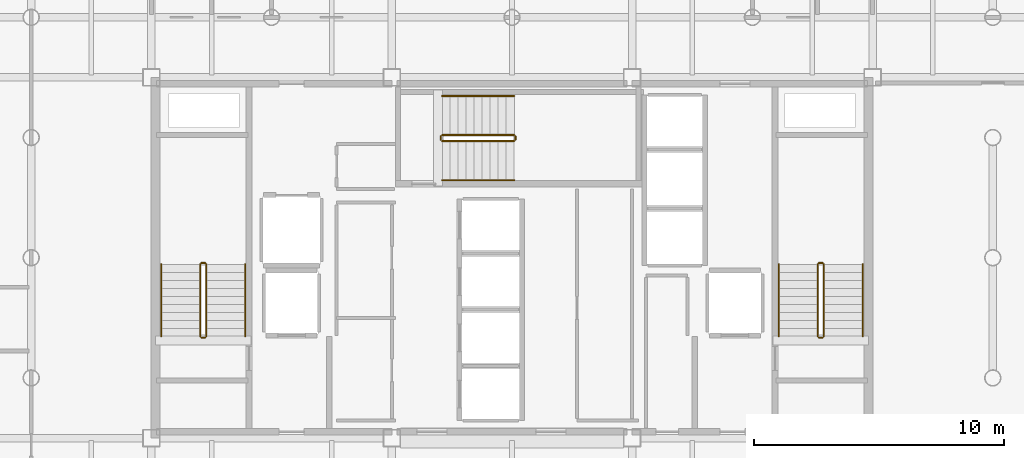
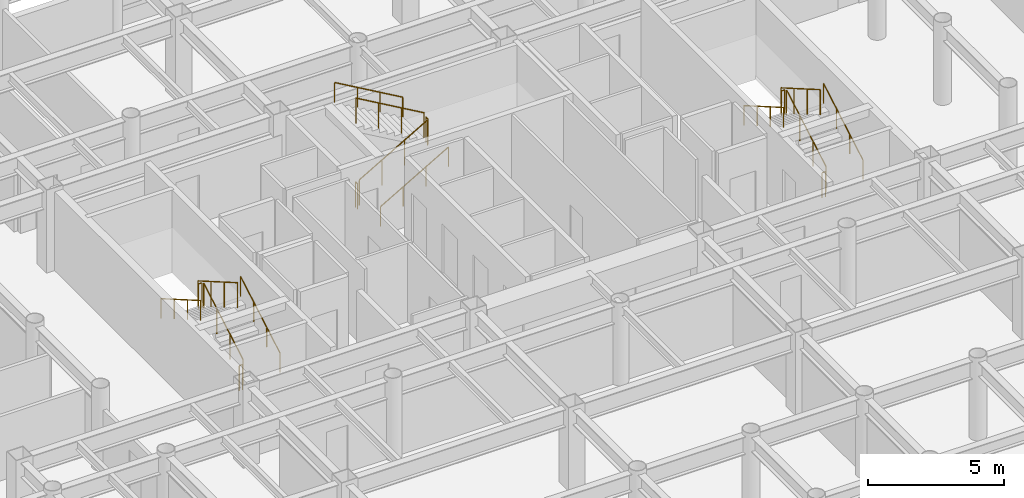
# One storey, part 19 of 19: 18 railings.
"""IFC4 building model written with IfcOpenShell, lengths in metres."""

from ifc_helpers import new_model, si_unit, direction, frame, origin, origin_2d, place, context, subcontext, project, spatial, circle, extrude, material, layer, layer_set, type_object, element, save


model = new_model("IFC4")

# Units and contexts
model_context = context("Model", 3, precision=1e-05, world=origin(), true_north=direction((0.0, 1.0)))
body_context = subcontext(model_context, "Body", "Model", "MODEL_VIEW")
ifc_project = project(units=[si_unit("LENGTHUNIT", "METRE"), si_unit("AREAUNIT", "SQUARE_METRE"), si_unit("VOLUMEUNIT", "CUBIC_METRE"), si_unit("PLANEANGLEUNIT", "RADIAN"), si_unit("MASSUNIT", "GRAM", prefix="KILO")], contexts=[model_context])

# Site, building, storey
site_placement = place(None, origin())
site = spatial("IfcSite", under=ifc_project, at=site_placement, CompositionType="ELEMENT")
building_placement = place(site_placement, origin())
building = spatial("IfcBuilding", under=site, at=building_placement, Name="Kallvorn Hotel Tower", CompositionType="ELEMENT")
storey_placement = place(building_placement, frame((0.0, 0.0, 165.5)))
storey = spatial("IfcBuildingStorey", under=building, at=storey_placement, Name="L41", CompositionType="ELEMENT", Elevation=165.5)

# Railings
ifc_material_1 = material(Name="Brushed stainless-steel tubular railing", Category="steel")
ifc_layer_1 = layer(ifc_material_1, 0.050048828125)
ifc_layer_set_1 = layer_set([ifc_layer_1], Name="RL_STAIR_GUARD")
railing_type_1 = type_object("IfcRailingType", Name="RL_STAIR_GUARD", PredefinedType="GUARDRAIL", material=ifc_layer_set_1)
railing_1_placement = place(storey_placement, frame((-12.2099609375, -3.139892578125, 0.18505859375)))
element("IfcRailing", 1, at=railing_1_placement, inside=storey, type_object=railing_type_1, Name="L41 ST1 stair guard 1", PredefinedType="GUARDRAIL", context=body_context, shape_type="SweptSolid", body=[
    extrude(circle(Radius=0.02392578125, at=origin_2d()), frame((0.0, 0.0, 1.1259765625), z_axis=(0.0, 0.865720918037, 0.500527014328), x_axis=(-1.0, 0.0, 0.0)), (0.0, 0.0, 1.0), 3.32666015625),
    extrude(circle(Radius=0.02099609375, at=origin_2d()), origin(), (0.0, 0.0, 1.0), 1.101806640625),
    extrude(circle(Radius=0.02099609375, at=origin_2d()), frame((0.0, 0.9599609375, 0.554931640625)), (0.0, 0.0, 1.0), 1.101806640625),
    extrude(circle(Radius=0.02099609375, at=origin_2d()), frame((0.0, 1.919921875, 1.110107421875)), (0.0, 0.0, 1.0), 1.101806640625),
    extrude(circle(Radius=0.02099609375, at=origin_2d()), frame((0.0, 2.8798828125, 1.6650390625)), (0.0, 0.0, 1.0), 1.101806640625),
])
railing_2_placement = place(storey_placement, frame((-12.260009765625, -0.2099609375, 1.85009765625)))
element("IfcRailing", 2, at=railing_2_placement, inside=storey, type_object=railing_type_1, Name="L41 ST1 stair guard 2", PredefinedType="GUARDRAIL", context=body_context, shape_type="SweptSolid", body=[
    extrude(circle(Radius=0.02392578125, at=origin_2d()), frame((0.0, 0.0, 1.1259765625), z_axis=(-1.0, 0.0, 0.0), x_axis=(0.0, -1.0, 0.0)), (0.0, 0.0, 1.0), 0.139892578125),
    extrude(circle(Radius=0.02099609375, at=origin_2d()), origin(), (0.0, 0.0, 1.0), 1.101806640625),
    extrude(circle(Radius=0.02099609375, at=origin_2d()), frame((-0.139892578125, 0.0, 0.0)), (0.0, 0.0, 1.0), 1.101806640625),
])
railing_3_placement = place(storey_placement, frame((-12.449951171875, -0.260009765625, 2.034912109375)))
element("IfcRailing", 3, at=railing_3_placement, inside=storey, type_object=railing_type_1, Name="L41 ST1 stair guard 3", PredefinedType="GUARDRAIL", context=body_context, shape_type="SweptSolid", body=[
    extrude(circle(Radius=0.02392578125, at=origin_2d()), frame((0.0, 0.0, 1.1259765625), z_axis=(0.0, -0.865720918037, 0.500527014328), x_axis=(1.0, 0.0, 0.0)), (0.0, 0.0, 1.0), 3.32666015625),
    extrude(circle(Radius=0.02099609375, at=origin_2d()), origin(), (0.0, 0.0, 1.0), 1.101806640625),
    extrude(circle(Radius=0.02099609375, at=origin_2d()), frame((0.0, -0.9599609375, 0.554931640625)), (0.0, 0.0, 1.0), 1.101806640625),
    extrude(circle(Radius=0.02099609375, at=origin_2d()), frame((0.0, -1.919921875, 1.110107421875)), (0.0, 0.0, 1.0), 1.101806640625),
    extrude(circle(Radius=0.02099609375, at=origin_2d()), frame((0.0, -2.8798828125, 1.6650390625)), (0.0, 0.0, 1.0), 1.101806640625),
])
railing_4_placement = place(storey_placement, frame((-12.260009765625, -3.18994140625, 0.0)))
element("IfcRailing", 4, at=railing_4_placement, inside=storey, type_object=railing_type_1, Name="L41 ST1 stair guard 4", PredefinedType="GUARDRAIL", context=body_context, shape_type="SweptSolid", body=[
    extrude(circle(Radius=0.02392578125, at=origin_2d()), frame((0.0, 0.0, 1.1259765625), z_axis=(-1.0, 0.0, 0.0), x_axis=(0.0, -1.0, 0.0)), (0.0, 0.0, 1.0), 0.139892578125),
    extrude(circle(Radius=0.02099609375, at=origin_2d()), origin(), (0.0, 0.0, 1.0), 1.101806640625),
    extrude(circle(Radius=0.02099609375, at=origin_2d()), frame((-0.139892578125, 0.0, 0.0)), (0.0, 0.0, 1.0), 1.101806640625),
])
railing_5_placement = place(storey_placement, frame((12.449951171875, -3.139892578125, 0.18505859375)))
element("IfcRailing", 5, at=railing_5_placement, inside=storey, type_object=railing_type_1, Name="L41 ST2 stair guard 1", PredefinedType="GUARDRAIL", context=body_context, shape_type="SweptSolid", body=[
    extrude(circle(Radius=0.02392578125, at=origin_2d()), frame((0.0, 0.0, 1.1259765625), z_axis=(0.0, 0.865720918037, 0.500527014328), x_axis=(-1.0, 0.0, 0.0)), (0.0, 0.0, 1.0), 3.32666015625),
    extrude(circle(Radius=0.02099609375, at=origin_2d()), origin(), (0.0, 0.0, 1.0), 1.101806640625),
    extrude(circle(Radius=0.02099609375, at=origin_2d()), frame((0.0, 0.9599609375, 0.554931640625)), (0.0, 0.0, 1.0), 1.101806640625),
    extrude(circle(Radius=0.02099609375, at=origin_2d()), frame((0.0, 1.919921875, 1.110107421875)), (0.0, 0.0, 1.0), 1.101806640625),
    extrude(circle(Radius=0.02099609375, at=origin_2d()), frame((0.0, 2.8798828125, 1.6650390625)), (0.0, 0.0, 1.0), 1.101806640625),
])
railing_6_placement = place(storey_placement, frame((12.39990234375, -0.2099609375, 1.85009765625)))
element("IfcRailing", 6, at=railing_6_placement, inside=storey, type_object=railing_type_1, Name="L41 ST2 stair guard 2", PredefinedType="GUARDRAIL", context=body_context, shape_type="SweptSolid", body=[
    extrude(circle(Radius=0.02392578125, at=origin_2d()), frame((0.0, 0.0, 1.1259765625), z_axis=(-1.0, 0.0, 0.0), x_axis=(0.0, -1.0, 0.0)), (0.0, 0.0, 1.0), 0.139892578125),
    extrude(circle(Radius=0.02099609375, at=origin_2d()), origin(), (0.0, 0.0, 1.0), 1.101806640625),
    extrude(circle(Radius=0.02099609375, at=origin_2d()), frame((-0.139892578125, 0.0, 0.0)), (0.0, 0.0, 1.0), 1.101806640625),
])
railing_7_placement = place(storey_placement, frame((12.2099609375, -0.260009765625, 2.034912109375)))
element("IfcRailing", 7, at=railing_7_placement, inside=storey, type_object=railing_type_1, Name="L41 ST2 stair guard 3", PredefinedType="GUARDRAIL", context=body_context, shape_type="SweptSolid", body=[
    extrude(circle(Radius=0.02392578125, at=origin_2d()), frame((0.0, 0.0, 1.1259765625), z_axis=(0.0, -0.865720918037, 0.500527014328), x_axis=(1.0, 0.0, 0.0)), (0.0, 0.0, 1.0), 3.32666015625),
    extrude(circle(Radius=0.02099609375, at=origin_2d()), origin(), (0.0, 0.0, 1.0), 1.101806640625),
    extrude(circle(Radius=0.02099609375, at=origin_2d()), frame((0.0, -0.9599609375, 0.554931640625)), (0.0, 0.0, 1.0), 1.101806640625),
    extrude(circle(Radius=0.02099609375, at=origin_2d()), frame((0.0, -1.919921875, 1.110107421875)), (0.0, 0.0, 1.0), 1.101806640625),
    extrude(circle(Radius=0.02099609375, at=origin_2d()), frame((0.0, -2.8798828125, 1.6650390625)), (0.0, 0.0, 1.0), 1.101806640625),
])
railing_8_placement = place(storey_placement, frame((12.39990234375, -3.18994140625, 0.0)))
element("IfcRailing", 8, at=railing_8_placement, inside=storey, type_object=railing_type_1, Name="L41 ST2 stair guard 4", PredefinedType="GUARDRAIL", context=body_context, shape_type="SweptSolid", body=[
    extrude(circle(Radius=0.02392578125, at=origin_2d()), frame((0.0, 0.0, 1.1259765625), z_axis=(-1.0, 0.0, 0.0), x_axis=(0.0, -1.0, 0.0)), (0.0, 0.0, 1.0), 0.139892578125),
    extrude(circle(Radius=0.02099609375, at=origin_2d()), origin(), (0.0, 0.0, 1.0), 1.101806640625),
    extrude(circle(Radius=0.02099609375, at=origin_2d()), frame((-0.139892578125, 0.0, 0.0)), (0.0, 0.0, 1.0), 1.101806640625),
])
railing_9_placement = place(storey_placement, frame((-2.7900390625, 4.659912109375, 0.18505859375)))
element("IfcRailing", 9, at=railing_9_placement, inside=storey, type_object=railing_type_1, Name="L41 ST3 stair guard 1", PredefinedType="GUARDRAIL", context=body_context, shape_type="SweptSolid", body=[
    extrude(circle(Radius=0.02392578125, at=origin_2d()), frame((0.0, 0.0, 1.1259765625), z_axis=(0.865739302748, 0.0, 0.50049521444), x_axis=(0.0, 1.0, 0.0)), (0.0, 0.0, 1.0), 3.326904296875),
    extrude(circle(Radius=0.02099609375, at=origin_2d()), origin(), (0.0, 0.0, 1.0), 1.101806640625),
    extrude(circle(Radius=0.02099609375, at=origin_2d()), frame((0.9599609375, 0.0, 0.554931640625)), (0.0, 0.0, 1.0), 1.101806640625),
    extrude(circle(Radius=0.02099609375, at=origin_2d()), frame((1.920166015625, 0.0, 1.110107421875)), (0.0, 0.0, 1.0), 1.101806640625),
    extrude(circle(Radius=0.02099609375, at=origin_2d()), frame((2.880126953125, 0.0, 1.6650390625)), (0.0, 0.0, 1.0), 1.101806640625),
])
railing_10_placement = place(storey_placement, frame((0.139892578125, 4.7099609375, 1.85009765625)))
element("IfcRailing", 10, at=railing_10_placement, inside=storey, type_object=railing_type_1, Name="L41 ST3 stair guard 2", PredefinedType="GUARDRAIL", context=body_context, shape_type="SweptSolid", body=[
    extrude(circle(Radius=0.02392578125, at=origin_2d()), frame((0.0, 0.0, 1.1259765625), z_axis=(0.0, 1.0, 0.0), x_axis=(-1.0, 0.0, 0.0)), (0.0, 0.0, 1.0), 0.14013671875),
    extrude(circle(Radius=0.02099609375, at=origin_2d()), origin(), (0.0, 0.0, 1.0), 1.101806640625),
    extrude(circle(Radius=0.02099609375, at=origin_2d()), frame((0.0, 0.14013671875, 0.0)), (0.0, 0.0, 1.0), 1.101806640625),
])
railing_11_placement = place(storey_placement, frame((0.090087890625, 4.89990234375, 2.034912109375)))
element("IfcRailing", 11, at=railing_11_placement, inside=storey, type_object=railing_type_1, Name="L41 ST3 stair guard 3", PredefinedType="GUARDRAIL", context=body_context, shape_type="SweptSolid", body=[
    extrude(circle(Radius=0.02392578125, at=origin_2d()), frame((0.0, 0.0, 1.1259765625), z_axis=(-0.865739302748, 0.0, 0.50049521444), x_axis=(0.0, -1.0, 0.0)), (0.0, 0.0, 1.0), 3.326904296875),
    extrude(circle(Radius=0.02099609375, at=origin_2d()), origin(), (0.0, 0.0, 1.0), 1.101806640625),
    extrude(circle(Radius=0.02099609375, at=origin_2d()), frame((-0.9599609375, 0.0, 0.554931640625)), (0.0, 0.0, 1.0), 1.101806640625),
    extrude(circle(Radius=0.02099609375, at=origin_2d()), frame((-1.920166015625, 0.0, 1.110107421875)), (0.0, 0.0, 1.0), 1.101806640625),
    extrude(circle(Radius=0.02099609375, at=origin_2d()), frame((-2.880126953125, 0.0, 1.6650390625)), (0.0, 0.0, 1.0), 1.101806640625),
])
railing_12_placement = place(storey_placement, frame((-2.840087890625, 4.7099609375, 0.0)))
element("IfcRailing", 12, at=railing_12_placement, inside=storey, type_object=railing_type_1, Name="L41 ST3 stair guard 4", PredefinedType="GUARDRAIL", context=body_context, shape_type="SweptSolid", body=[
    extrude(circle(Radius=0.02392578125, at=origin_2d()), frame((0.0, 0.0, 1.1259765625), z_axis=(0.0, 1.0, 0.0), x_axis=(-1.0, 0.0, 0.0)), (0.0, 0.0, 1.0), 0.14013671875),
    extrude(circle(Radius=0.02099609375, at=origin_2d()), origin(), (0.0, 0.0, 1.0), 1.101806640625),
    extrude(circle(Radius=0.02099609375, at=origin_2d()), frame((0.0, 0.14013671875, 0.0)), (0.0, 0.0, 1.0), 1.101806640625),
])
ifc_material_2 = material(Name="Brushed stainless-steel tubular railing", Category="steel")
ifc_layer_2 = layer(ifc_material_2, 0.050048828125)
ifc_layer_set_2 = layer_set([ifc_layer_2], Name="RL_STAIR_HAND")
railing_type_2 = type_object("IfcRailingType", Name="RL_STAIR_HAND", PredefinedType="HANDRAIL", material=ifc_layer_set_2)
railing_13_placement = place(storey_placement, frame((-10.64990234375, -3.139892578125, 0.18505859375)))
element("IfcRailing", 13, at=railing_13_placement, inside=storey, type_object=railing_type_2, Name="L41 ST1 stair handrail 1", PredefinedType="HANDRAIL", context=body_context, shape_type="SweptSolid", body=[
    extrude(circle(Radius=0.02392578125, at=origin_2d()), frame((0.0, 0.0, 0.8759765625), z_axis=(0.0, 0.865720918037, 0.500527014328), x_axis=(-1.0, 0.0, 0.0)), (0.0, 0.0, 1.0), 3.32666015625),
    extrude(circle(Radius=0.02099609375, at=origin_2d()), origin(), (0.0, 0.0, 1.0), 0.851806640625),
    extrude(circle(Radius=0.02099609375, at=origin_2d()), frame((0.0, 0.9599609375, 0.554931640625)), (0.0, 0.0, 1.0), 0.851806640625),
    extrude(circle(Radius=0.02099609375, at=origin_2d()), frame((0.0, 1.919921875, 1.110107421875)), (0.0, 0.0, 1.0), 0.851806640625),
    extrude(circle(Radius=0.02099609375, at=origin_2d()), frame((0.0, 2.8798828125, 1.6650390625)), (0.0, 0.0, 1.0), 0.851806640625),
])
railing_14_placement = place(storey_placement, frame((-14.010009765625, -0.260009765625, 2.034912109375)))
element("IfcRailing", 14, at=railing_14_placement, inside=storey, type_object=railing_type_2, Name="L41 ST1 stair handrail 2", PredefinedType="HANDRAIL", context=body_context, shape_type="SweptSolid", body=[
    extrude(circle(Radius=0.02392578125, at=origin_2d()), frame((0.0, 0.0, 0.8759765625), z_axis=(0.0, -0.865720918037, 0.500527014328), x_axis=(1.0, 0.0, 0.0)), (0.0, 0.0, 1.0), 3.32666015625),
    extrude(circle(Radius=0.02099609375, at=origin_2d()), origin(), (0.0, 0.0, 1.0), 0.851806640625),
    extrude(circle(Radius=0.02099609375, at=origin_2d()), frame((0.0, -0.9599609375, 0.554931640625)), (0.0, 0.0, 1.0), 0.851806640625),
    extrude(circle(Radius=0.02099609375, at=origin_2d()), frame((0.0, -1.919921875, 1.110107421875)), (0.0, 0.0, 1.0), 0.851806640625),
    extrude(circle(Radius=0.02099609375, at=origin_2d()), frame((0.0, -2.8798828125, 1.6650390625)), (0.0, 0.0, 1.0), 0.851806640625),
])
railing_15_placement = place(storey_placement, frame((14.010009765625, -3.139892578125, 0.18505859375)))
element("IfcRailing", 15, at=railing_15_placement, inside=storey, type_object=railing_type_2, Name="L41 ST2 stair handrail 1", PredefinedType="HANDRAIL", context=body_context, shape_type="SweptSolid", body=[
    extrude(circle(Radius=0.02392578125, at=origin_2d()), frame((0.0, 0.0, 0.8759765625), z_axis=(0.0, 0.865720918037, 0.500527014328), x_axis=(-1.0, 0.0, 0.0)), (0.0, 0.0, 1.0), 3.32666015625),
    extrude(circle(Radius=0.02099609375, at=origin_2d()), origin(), (0.0, 0.0, 1.0), 0.851806640625),
    extrude(circle(Radius=0.02099609375, at=origin_2d()), frame((0.0, 0.9599609375, 0.554931640625)), (0.0, 0.0, 1.0), 0.851806640625),
    extrude(circle(Radius=0.02099609375, at=origin_2d()), frame((0.0, 1.919921875, 1.110107421875)), (0.0, 0.0, 1.0), 0.851806640625),
    extrude(circle(Radius=0.02099609375, at=origin_2d()), frame((0.0, 2.8798828125, 1.6650390625)), (0.0, 0.0, 1.0), 0.851806640625),
])
railing_16_placement = place(storey_placement, frame((10.64990234375, -0.260009765625, 2.034912109375)))
element("IfcRailing", 16, at=railing_16_placement, inside=storey, type_object=railing_type_2, Name="L41 ST2 stair handrail 2", PredefinedType="HANDRAIL", context=body_context, shape_type="SweptSolid", body=[
    extrude(circle(Radius=0.02392578125, at=origin_2d()), frame((0.0, 0.0, 0.8759765625), z_axis=(0.0, -0.865720918037, 0.500527014328), x_axis=(1.0, 0.0, 0.0)), (0.0, 0.0, 1.0), 3.32666015625),
    extrude(circle(Radius=0.02099609375, at=origin_2d()), origin(), (0.0, 0.0, 1.0), 0.851806640625),
    extrude(circle(Radius=0.02099609375, at=origin_2d()), frame((0.0, -0.9599609375, 0.554931640625)), (0.0, 0.0, 1.0), 0.851806640625),
    extrude(circle(Radius=0.02099609375, at=origin_2d()), frame((0.0, -1.919921875, 1.110107421875)), (0.0, 0.0, 1.0), 0.851806640625),
    extrude(circle(Radius=0.02099609375, at=origin_2d()), frame((0.0, -2.8798828125, 1.6650390625)), (0.0, 0.0, 1.0), 0.851806640625),
])
railing_17_placement = place(storey_placement, frame((-2.7900390625, 3.10009765625, 0.18505859375)))
element("IfcRailing", 17, at=railing_17_placement, inside=storey, type_object=railing_type_2, Name="L41 ST3 stair handrail 1", PredefinedType="HANDRAIL", context=body_context, shape_type="SweptSolid", body=[
    extrude(circle(Radius=0.02392578125, at=origin_2d()), frame((0.0, 0.0, 0.8759765625), z_axis=(0.865739302748, 0.0, 0.50049521444), x_axis=(0.0, 1.0, 0.0)), (0.0, 0.0, 1.0), 3.326904296875),
    extrude(circle(Radius=0.02099609375, at=origin_2d()), origin(), (0.0, 0.0, 1.0), 0.851806640625),
    extrude(circle(Radius=0.02099609375, at=origin_2d()), frame((0.9599609375, 0.0, 0.554931640625)), (0.0, 0.0, 1.0), 0.851806640625),
    extrude(circle(Radius=0.02099609375, at=origin_2d()), frame((1.920166015625, 0.0, 1.110107421875)), (0.0, 0.0, 1.0), 0.851806640625),
    extrude(circle(Radius=0.02099609375, at=origin_2d()), frame((2.880126953125, 0.0, 1.6650390625)), (0.0, 0.0, 1.0), 0.851806640625),
])
railing_18_placement = place(storey_placement, frame((0.090087890625, 6.4599609375, 2.034912109375)))
element("IfcRailing", 18, at=railing_18_placement, inside=storey, type_object=railing_type_2, Name="L41 ST3 stair handrail 2", PredefinedType="HANDRAIL", context=body_context, shape_type="SweptSolid", body=[
    extrude(circle(Radius=0.02392578125, at=origin_2d()), frame((0.0, 0.0, 0.8759765625), z_axis=(-0.865739302748, 0.0, 0.50049521444), x_axis=(0.0, -1.0, 0.0)), (0.0, 0.0, 1.0), 3.326904296875),
    extrude(circle(Radius=0.02099609375, at=origin_2d()), origin(), (0.0, 0.0, 1.0), 0.851806640625),
    extrude(circle(Radius=0.02099609375, at=origin_2d()), frame((-0.9599609375, 0.0, 0.554931640625)), (0.0, 0.0, 1.0), 0.851806640625),
    extrude(circle(Radius=0.02099609375, at=origin_2d()), frame((-1.920166015625, 0.0, 1.110107421875)), (0.0, 0.0, 1.0), 0.851806640625),
    extrude(circle(Radius=0.02099609375, at=origin_2d()), frame((-2.880126953125, 0.0, 1.6650390625)), (0.0, 0.0, 1.0), 0.851806640625),
])

save(model, "model.ifc")
